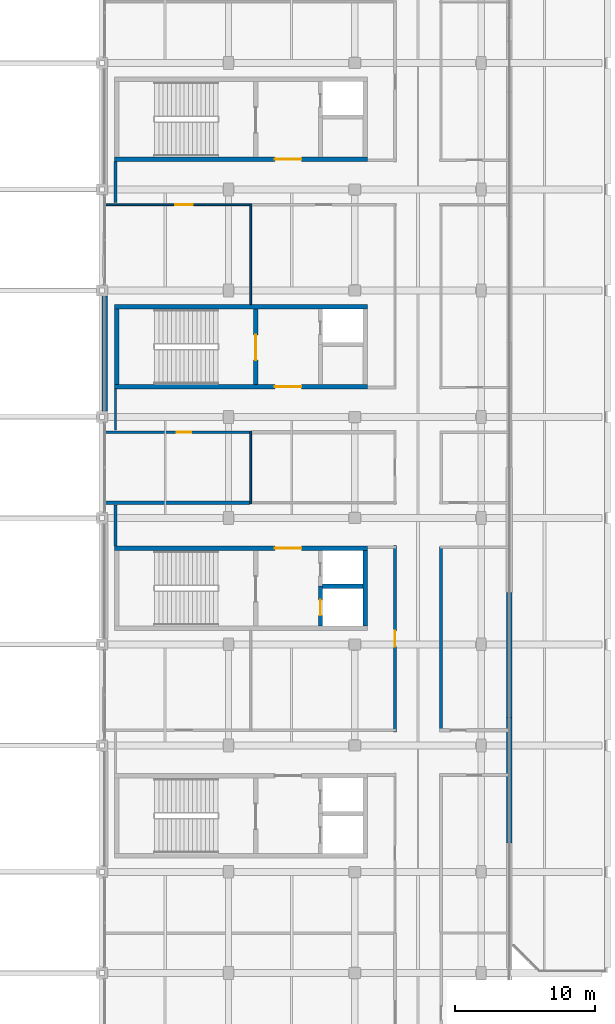
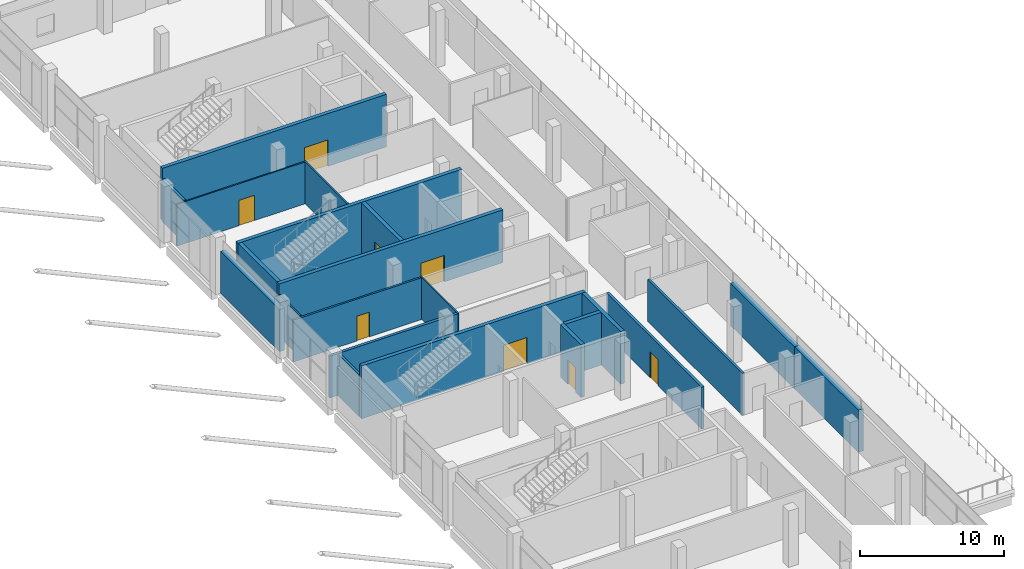
# One storey, part 55 of 82: 22 walls, 8 doors, 8 openings.
"""IFC4 building model written with IfcOpenShell, lengths in metres."""

from ifc_helpers import new_model, si_unit, direction, frame, frame_2d, origin, place, context, subcontext, project, spatial, rectangle, extrude, material, layer, layer_set, type_object, element, fill, save


model = new_model("IFC4")

# Units and contexts
model_context = context("Model", 3, precision=1e-05, world=origin(), true_north=direction((0.0, 1.0)))
body_context = subcontext(model_context, "Body", "Model", "MODEL_VIEW")
ifc_project = project(units=[si_unit("LENGTHUNIT", "METRE"), si_unit("AREAUNIT", "SQUARE_METRE"), si_unit("VOLUMEUNIT", "CUBIC_METRE"), si_unit("PLANEANGLEUNIT", "RADIAN"), si_unit("MASSUNIT", "GRAM", prefix="KILO"), si_unit("THERMODYNAMICTEMPERATUREUNIT", "KELVIN"), si_unit("POWERUNIT", "WATT")], contexts=[model_context])

# Site, building, storey
site_placement = place(None, origin())
site = spatial("IfcSite", under=ifc_project, at=site_placement, CompositionType="ELEMENT")
building_placement = place(site_placement, origin())
building = spatial("IfcBuilding", under=site, at=building_placement, Name="Sindhuravela Promenade Stadium", CompositionType="ELEMENT")
storey_placement = place(building_placement, frame((0.0, 0.0, 14.39990234375)))
storey = spatial("IfcBuildingStorey", under=building, at=storey_placement, Name="L03", CompositionType="ELEMENT", Elevation=14.39990234375)

# Walls
ifc_material_1 = material(Name="Terracotta clay brick masonry (15 MPa)", Category="masonry")
ifc_layer_1 = layer(ifc_material_1, 0.39990234375)
ifc_layer_set_1 = layer_set([ifc_layer_1], Name="Terracotta clay brick masonry (15 MPa)")
wall_type_1 = type_object("IfcWallType", Name="EX-WL-BRK400", PredefinedType="SOLIDWALL", material=ifc_layer_set_1)
wall_1_placement = place(storey_placement, frame((180.199951171875, 85.0048828125, 0.0), z_axis=(0.0, 0.0, 1.0), x_axis=(0.0, 1.0, 0.0)))
element("IfcWall", 1, at=wall_1_placement, inside=storey, type_object=wall_type_1, Name="Exterior masonry wall EW03 EAST L03", PredefinedType="SOLIDWALL", context=body_context, shape_type="SweptSolid", body=[
    extrude(rectangle(XDim=8.190185546875, YDim=0.39990234375, at=frame_2d((4.09521484375, 0.0))), origin(), (0.0, 0.0, 1.0), 3.580078125),
])
wall_2_placement = place(storey_placement, frame((209.0, 63.179931640625, 0.0), z_axis=(0.0, 0.0, 1.0), x_axis=(0.0, -1.0, 0.0)))
element("IfcWall", 2, at=wall_2_placement, inside=storey, type_object=wall_type_1, Name="Exterior masonry wall EW03 EAST L03", PredefinedType="SOLIDWALL", context=body_context, shape_type="SweptSolid", body=[
    extrude(rectangle(XDim=8.909912109375, YDim=0.39990234375, at=frame_2d((4.455078125, 0.0))), origin(), (0.0, 0.0, 1.0), 3.580078125),
])
ifc_layer_2 = layer(ifc_material_1, 0.419921875)
ifc_layer_set_2 = layer_set([ifc_layer_2], Name="Terracotta clay brick masonry (15 MPa)")
wall_type_2 = type_object("IfcWallType", Name="EX-WL-BRK420", PredefinedType="SOLIDWALL", material=ifc_layer_set_2)
wall_3_placement = place(storey_placement, frame((209.0, 72.090087890625, 0.0), z_axis=(0.0, 0.0, 1.0), x_axis=(0.0, -1.0, 0.0)))
element("IfcWall", 3, at=wall_3_placement, inside=storey, type_object=wall_type_2, Name="Exterior masonry wall EW02 EAST L03", PredefinedType="SOLIDWALL", context=body_context, shape_type="SweptSolid", body=[
    extrude(rectangle(XDim=8.91015625, YDim=0.419921875, at=frame_2d((4.455078125, 0.0))), origin(), (0.0, 0.0, 1.0), 3.580078125),
])

# Wall, opening, door
ifc_material_2 = material(Name="Fire-rated gypsum partition board", Category="gypsum")
ifc_layer_3 = layer(ifc_material_2, 0.110107421875)
ifc_layer_set_3 = layer_set([ifc_layer_3], Name="Fire-rated gypsum partition board")
wall_type_3 = type_object("IfcWallType", Name="IN-WL-PAR110", PredefinedType="PARTITIONING", material=ifc_layer_set_3)
wall_4_placement = place(storey_placement, frame((190.590087890625, 99.7099609375, 0.0), z_axis=(0.0, 0.0, 1.0), x_axis=(-1.0, 0.0, 0.0)))
wall_4 = element("IfcWall", 4, at=wall_4_placement, inside=storey, type_object=wall_type_3, Name="Corridor partition IW06 Accessible WC East L03", PredefinedType="PARTITIONING", context=body_context, shape_type="SweptSolid", body=[
    extrude(rectangle(XDim=10.357177734375, YDim=0.110107421875, at=frame_2d((5.1787109375, 0.0))), origin(), (0.0, 0.0, 1.0), 3.56005859375),
])
opening_1_placement = place(wall_4_placement, frame((4.1298828125, 0.0, 0.0)))
opening_1 = element("IfcOpeningElement", 5, at=opening_1_placement, cuts=wall_4, Name="Opening ID04", PredefinedType="OPENING", context=body_context, shape_type="SweptSolid", body=[
    extrude(rectangle(XDim=1.25, YDim=2.14990234375, at=frame_2d((0.625, 1.074951171875))), frame((0.0, 0.06494140625, 0.0), z_axis=(0.0, -1.0, 0.0), x_axis=(1.0, 0.0, 0.0)), (0.0, 0.0, 1.0), 0.130126953125),
])
ifc_material_3 = material(Name="Architectural teak timber leaf", Category="wood")
door_type_1 = type_object("IfcDoorType", Name="DR-INT-1250x2150", OperationType="NOTDEFINED", PredefinedType="DOOR", material=ifc_material_3)
door_1_placement = place(opening_1_placement, origin())
door_1 = element("IfcDoor", 6, at=door_1_placement, inside=storey, type_object=door_type_1, Name="Accessible WC East L03 door", OperationType="SINGLE_SWING_RIGHT", OverallHeight=2.14990234375, OverallWidth=1.25, PredefinedType="DOOR", context=body_context, shape_type="SweptSolid", body=[
    extrude(rectangle(XDim=1.25, YDim=2.14990234375, at=frame_2d((0.625, 1.074951171875))), frame((0.0, 0.02490234375, 0.0), z_axis=(0.0, -1.0, 0.0), x_axis=(1.0, 0.0, 0.0)), (0.0, 0.0, 1.0), 0.050048828125),
])
fill(opening_1, door_1)

# Walls
wall_5_placement = place(storey_placement, frame((190.590087890625, 83.590087890625, 0.0), z_axis=(0.0, 0.0, 1.0), x_axis=(0.0, -1.0, 0.0)))
element("IfcWall", 7, at=wall_5_placement, inside=storey, type_object=wall_type_3, Name="Interior partition IW06 EAST L03", PredefinedType="PARTITIONING", context=body_context, shape_type="SweptSolid", body=[
    extrude(rectangle(XDim=5.18017578125, YDim=0.110107421875, at=frame_2d((2.590087890625, 0.0))), origin(), (0.0, 0.0, 1.0), 3.56005859375),
])
ifc_layer_4 = layer(ifc_material_2, 0.1298828125)
ifc_layer_set_4 = layer_set([ifc_layer_4], Name="Fire-rated gypsum partition board")
wall_type_4 = type_object("IfcWallType", Name="IN-WL-PAR130", PredefinedType="PARTITIONING", material=ifc_layer_set_4)
wall_6_placement = place(storey_placement, frame((190.590087890625, 92.60205078125, 0.0), z_axis=(0.0, 0.0, 1.0), x_axis=(0.0, 1.0, 0.0)))
element("IfcWall", 8, at=wall_6_placement, inside=storey, type_object=wall_type_4, Name="Interior partition IW05 EAST L03", PredefinedType="PARTITIONING", context=body_context, shape_type="SweptSolid", body=[
    extrude(rectangle(XDim=7.18798828125, YDim=0.1298828125, at=frame_2d((3.593994140625, 0.0))), origin(), (0.0, 0.0, 1.0), 3.56005859375),
])
wall_7_placement = place(storey_placement, frame((180.9599609375, 86.597900390625, 0.0), z_axis=(0.0, 0.0, 1.0), x_axis=(0.0, -1.0, 0.0)))
element("IfcWall", 9, at=wall_7_placement, inside=storey, type_object=wall_type_4, Name="Interior partition IW05 EAST L03", PredefinedType="PARTITIONING", context=body_context, shape_type="SweptSolid", body=[
    extrude(rectangle(XDim=2.927978515625, YDim=0.1298828125, at=frame_2d((1.4638671875, 0.0))), origin(), (0.0, 0.0, 1.0), 3.56005859375),
])

# Wall, opening, door
ifc_layer_5 = layer(ifc_material_2, 0.14990234375)
ifc_layer_set_5 = layer_set([ifc_layer_5], Name="Fire-rated gypsum partition board")
wall_type_5 = type_object("IfcWallType", Name="IN-WL-PAR150", PredefinedType="PARTITIONING", material=ifc_layer_set_5)
wall_8_placement = place(storey_placement, frame((190.590087890625, 83.510009765625, 0.0), z_axis=(0.0, 0.0, 1.0), x_axis=(-1.0, 0.0, 0.0)))
wall_8 = element("IfcWall", 10, at=wall_8_placement, inside=storey, type_object=wall_type_5, Name="Corridor partition IW04 Executive Hospitality Suite E02 4", PredefinedType="PARTITIONING", context=body_context, shape_type="SweptSolid", body=[
    extrude(rectangle(XDim=10.357177734375, YDim=0.14990234375, at=frame_2d((5.1787109375, 0.0))), origin(), (0.0, 0.0, 1.0), 3.56005859375),
])
opening_2_placement = place(wall_8_placement, frame((4.2548828125, 0.0, 0.0)))
opening_2 = element("IfcOpeningElement", 11, at=opening_2_placement, cuts=wall_8, Name="Opening ID08", PredefinedType="OPENING", context=body_context, shape_type="SweptSolid", body=[
    extrude(rectangle(XDim=1.0, YDim=2.10009765625, at=frame_2d((0.5, 1.050048828125))), frame((0.0, 0.0849609375, 0.0), z_axis=(0.0, -1.0, 0.0), x_axis=(1.0, 0.0, 0.0)), (0.0, 0.0, 1.0), 0.169921875),
])
door_type_2 = type_object("IfcDoorType", Name="DR-INT-1000x2100", OperationType="NOTDEFINED", PredefinedType="DOOR", material=ifc_material_3)
door_2_placement = place(opening_2_placement, origin())
door_2 = element("IfcDoor", 12, at=door_2_placement, inside=storey, type_object=door_type_2, Name="Executive Hospitality Suite E02 4 door", OperationType="SINGLE_SWING_RIGHT", OverallHeight=2.10009765625, OverallWidth=1.0, PredefinedType="DOOR", context=body_context, shape_type="SweptSolid", body=[
    extrude(rectangle(XDim=1.0, YDim=2.10009765625, at=frame_2d((0.5, 1.050048828125))), frame((0.0, 0.02490234375, 0.0), z_axis=(0.0, -1.0, 0.0), x_axis=(1.0, 0.0, 0.0)), (0.0, 0.0, 1.0), 0.050048828125),
])
fill(opening_2, door_2)

ifc_layer_6 = layer(ifc_material_2, 0.195068359375)
ifc_layer_set_6 = layer_set([ifc_layer_6], Name="Fire-rated gypsum partition board")
wall_type_6 = type_object("IfcWallType", Name="IN-WL-PAR195", PredefinedType="PARTITIONING", material=ifc_layer_set_6)
wall_9_placement = place(storey_placement, frame((200.860107421875, 62.169921875, 0.0), z_axis=(0.0, 0.0, 1.0), x_axis=(0.0, 1.0, 0.0)))
wall_9 = element("IfcWall", 13, at=wall_9_placement, inside=storey, type_object=wall_type_6, Name="Corridor partition IW02 Hospitality Pantry East L03", PredefinedType="PARTITIONING", context=body_context, shape_type="SweptSolid", body=[
    extrude(rectangle(XDim=13.260009765625, YDim=0.195068359375, at=frame_2d((6.6298828125, 0.0))), origin(), (0.0, 0.0, 1.0), 3.56005859375),
])
opening_3_placement = place(wall_9_placement, frame((6.070068359375, 0.0, 0.0)))
opening_3 = element("IfcOpeningElement", 14, at=opening_3_placement, cuts=wall_9, Name="Opening ID13", PredefinedType="OPENING", context=body_context, shape_type="SweptSolid", body=[
    extrude(rectangle(XDim=1.1201171875, YDim=2.219970703125, at=frame_2d((0.56005859375, 1.10986328125))), frame((0.0, 0.107421875, 0.0), z_axis=(0.0, -1.0, 0.0), x_axis=(1.0, 0.0, 0.0)), (0.0, 0.0, 1.0), 0.215087890625),
])
door_type_3 = type_object("IfcDoorType", Name="DR-INT-1120x2220", OperationType="NOTDEFINED", PredefinedType="DOOR", material=ifc_material_3)
door_3_placement = place(opening_3_placement, origin())
door_3 = element("IfcDoor", 15, at=door_3_placement, inside=storey, type_object=door_type_3, Name="Hospitality Pantry East L03 door", OperationType="SINGLE_SWING_LEFT", OverallHeight=2.219970703125, OverallWidth=1.1201171875, PredefinedType="DOOR", context=body_context, shape_type="SweptSolid", body=[
    extrude(rectangle(XDim=1.1201171875, YDim=2.219970703125, at=frame_2d((0.56005859375, 1.10986328125))), frame((0.0, 0.02490234375, 0.0), z_axis=(0.0, -1.0, 0.0), x_axis=(1.0, 0.0, 0.0)), (0.0, 0.0, 1.0), 0.050048828125),
])
fill(opening_3, door_3)

# Walls
wall_10_placement = place(storey_placement, frame((204.139892578125, 62.2099609375, 0.0), z_axis=(0.0, 0.0, 1.0), x_axis=(0.0, 1.0, 0.0)))
element("IfcWall", 16, at=wall_10_placement, inside=storey, type_object=wall_type_6, Name="Interior partition IW02 EAST L03", PredefinedType="PARTITIONING", context=body_context, shape_type="SweptSolid", body=[
    extrude(rectangle(XDim=13.179931640625, YDim=0.195068359375, at=frame_2d((6.58984375, 0.0))), origin(), (0.0, 0.0, 1.0), 3.56005859375),
])
wall_11_placement = place(storey_placement, frame((180.9599609375, 78.330078125, 0.0), z_axis=(0.0, 0.0, 1.0), x_axis=(0.0, -1.0, 0.0)))
element("IfcWall", 17, at=wall_11_placement, inside=storey, type_object=wall_type_6, Name="Interior partition IW02 EAST L03", PredefinedType="PARTITIONING", context=body_context, shape_type="SweptSolid", body=[
    extrude(rectangle(XDim=2.927978515625, YDim=0.195068359375, at=frame_2d((1.4638671875, 0.0))), origin(), (0.0, 0.0, 1.0), 3.56005859375),
])
ifc_layer_7 = layer(ifc_material_2, 0.219970703125)
ifc_layer_set_7 = layer_set([ifc_layer_7], Name="Fire-rated gypsum partition board")
wall_type_7 = type_object("IfcWallType", Name="IN-WL-PAR220", PredefinedType="PARTITIONING", material=ifc_layer_set_7)
wall_12_placement = place(storey_placement, frame((180.9599609375, 102.798095703125, 0.0), z_axis=(0.0, 0.0, 1.0), x_axis=(0.0, -1.0, 0.0)))
element("IfcWall", 18, at=wall_12_placement, inside=storey, type_object=wall_type_7, Name="Interior partition IW01 EAST L03", PredefinedType="PARTITIONING", context=body_context, shape_type="SweptSolid", body=[
    extrude(rectangle(XDim=2.927978515625, YDim=0.219970703125, at=frame_2d((1.4638671875, 0.0))), origin(), (0.0, 0.0, 1.0), 3.56005859375),
])
wall_13_placement = place(storey_placement, frame((190.550048828125, 78.489990234375, 0.0), z_axis=(0.0, 0.0, 1.0), x_axis=(-1.0, 0.0, 0.0)))
element("IfcWall", 19, at=wall_13_placement, inside=storey, type_object=wall_type_7, Name="Interior partition IW01 EAST L03", PredefinedType="PARTITIONING", context=body_context, shape_type="SweptSolid", body=[
    extrude(rectangle(XDim=10.317138671875, YDim=0.219970703125, at=frame_2d((5.15869140625, 0.0))), origin(), (0.0, 0.0, 1.0), 3.56005859375),
])

# Wall, opening, door
ifc_material_4 = material(Name="Concrete M50", Category="concrete")
ifc_layer_8 = layer(ifc_material_4, 0.300048828125)
ifc_layer_set_8 = layer_set([ifc_layer_8], Name="Concrete M50")
wall_type_8 = type_object("IfcWallType", Name="RC-SW-300", PredefinedType="SHEAR", material=ifc_layer_set_8)
wall_14_placement = place(storey_placement, frame((198.89990234375, 75.25, 0.0), z_axis=(0.0, 0.0, 1.0), x_axis=(-1.0, 0.0, 0.0)))
wall_14 = element("IfcWall", 20, at=wall_14_placement, inside=storey, type_object=wall_type_8, Name="Core shear wall C06-N (L03)", PredefinedType="SHEAR", context=body_context, shape_type="SweptSolid", body=[
    extrude(rectangle(XDim=18.0, YDim=0.300048828125, at=frame_2d((9.0, 0.0))), origin(), (0.0, 0.0, 1.0), 4.47998046875),
])
opening_4_placement = place(wall_14_placement, frame((4.699951171875, 0.0, 0.0)))
opening_4 = element("IfcOpeningElement", 21, at=opening_4_placement, cuts=wall_14, Name="Opening FD02", PredefinedType="OPENING", context=body_context, shape_type="SweptSolid", body=[
    extrude(rectangle(XDim=1.89990234375, YDim=2.25, at=frame_2d((0.949951171875, 1.125))), frame((0.0, 0.159912109375, 0.0), z_axis=(0.0, -1.0, 0.0), x_axis=(1.0, 0.0, 0.0)), (0.0, 0.0, 1.0), 0.320068359375),
])
ifc_material_5 = material(Name="Architectural wrought steel E350", Category="steel")
door_type_4 = type_object("IfcDoorType", Name="DR-LOB-1900x2250", OperationType="DOUBLE_DOOR_SINGLE_SWING", PredefinedType="DOOR", material=ifc_material_5)
door_4_placement = place(opening_4_placement, origin())
door_4 = element("IfcDoor", 22, at=door_4_placement, inside=storey, type_object=door_type_4, Name="Protected lobby entrance door C06 (L03)", OperationType="DOUBLE_DOOR_SINGLE_SWING", OverallHeight=2.25, OverallWidth=1.89990234375, PredefinedType="DOOR", context=body_context, shape_type="SweptSolid", body=[
    extrude(rectangle(XDim=1.89990234375, YDim=2.25, at=frame_2d((0.949951171875, 1.125))), frame((0.0, 0.02490234375, 0.0), z_axis=(0.0, -1.0, 0.0), x_axis=(1.0, 0.0, 0.0)), (0.0, 0.0, 1.0), 0.050048828125),
])
fill(opening_4, door_4)

# Wall
wall_15_placement = place(storey_placement, frame((198.75, 69.699951171875, 0.0), z_axis=(0.0, 0.0, 1.0), x_axis=(0.0, 1.0, 0.0)))
element("IfcWall", 23, at=wall_15_placement, inside=storey, type_object=wall_type_8, Name="Core shear wall C06-E (L03)", PredefinedType="SHEAR", context=body_context, shape_type="SweptSolid", body=[
    extrude(rectangle(XDim=5.400146484375, YDim=0.300048828125, at=frame_2d((2.7001953125, 0.0))), origin(), (0.0, 0.0, 1.0), 4.47998046875),
])

# Wall, opening, door
wall_16_placement = place(storey_placement, frame((195.550048828125, 69.699951171875, 0.0), z_axis=(0.0, 0.0, 1.0), x_axis=(0.0, 1.0, 0.0)))
wall_16 = element("IfcWall", 24, at=wall_16_placement, inside=storey, type_object=wall_type_8, Name="Core shear wall C06-LFT (L03)", PredefinedType="SHEAR", context=body_context, shape_type="SweptSolid", body=[
    extrude(rectangle(XDim=2.85009765625, YDim=0.300048828125, at=frame_2d((1.425048828125, 0.0))), origin(), (0.0, 0.0, 1.0), 4.47998046875),
])
opening_5_placement = place(wall_16_placement, frame((0.77490234375, 0.0, 0.0)))
opening_5 = element("IfcOpeningElement", 25, at=opening_5_placement, cuts=wall_16, Name="Opening LD", PredefinedType="OPENING", context=body_context, shape_type="SweptSolid", body=[
    extrude(rectangle(XDim=1.10009765625, YDim=2.10009765625, at=frame_2d((0.550048828125, 1.050048828125))), frame((0.0, 0.159912109375, 0.0), z_axis=(0.0, -1.0, 0.0), x_axis=(1.0, 0.0, 0.0)), (0.0, 0.0, 1.0), 0.320068359375),
])
door_type_5 = type_object("IfcDoorType", Name="DR-LFT-1100x2100", OperationType="DOUBLE_DOOR_SLIDING", PredefinedType="DOOR", material=ifc_material_5)
door_5_placement = place(opening_5_placement, origin())
door_5 = element("IfcDoor", 26, at=door_5_placement, inside=storey, type_object=door_type_5, Name="Lift PL02 landing door (L03)", OperationType="DOUBLE_DOOR_SLIDING", OverallHeight=2.10009765625, OverallWidth=1.10009765625, PredefinedType="DOOR", context=body_context, shape_type="SweptSolid", body=[
    extrude(rectangle(XDim=1.10009765625, YDim=2.10009765625, at=frame_2d((0.550048828125, 1.050048828125))), frame((0.0, 0.02490234375, 0.0), z_axis=(0.0, -1.0, 0.0), x_axis=(1.0, 0.0, 0.0)), (0.0, 0.0, 1.0), 0.050048828125),
])
fill(opening_5, door_5)

# Wall
wall_17_placement = place(storey_placement, frame((195.699951171875, 72.550048828125, 0.0), z_axis=(0.0, 0.0, 1.0), x_axis=(1.0, 0.0, 0.0)))
element("IfcWall", 27, at=wall_17_placement, inside=storey, type_object=wall_type_8, Name="Core shear wall C06-DIV (L03)", PredefinedType="SHEAR", context=body_context, shape_type="SweptSolid", body=[
    extrude(rectangle(XDim=2.900146484375, YDim=0.300048828125, at=frame_2d((1.4501953125, 0.0))), origin(), (0.0, 0.0, 1.0), 4.47998046875),
])

# Wall, opening, door
wall_18_placement = place(storey_placement, frame((180.89990234375, 86.75, 0.0), z_axis=(0.0, 0.0, 1.0), x_axis=(1.0, 0.0, 0.0)))
wall_18 = element("IfcWall", 28, at=wall_18_placement, inside=storey, type_object=wall_type_8, Name="Core shear wall C07-S (L03)", PredefinedType="SHEAR", context=body_context, shape_type="SweptSolid", body=[
    extrude(rectangle(XDim=18.0, YDim=0.300048828125, at=frame_2d((9.0, 0.0))), origin(), (0.0, 0.0, 1.0), 4.47998046875),
])
opening_6_placement = place(wall_18_placement, frame((11.39990234375, 0.0, 0.0)))
opening_6 = element("IfcOpeningElement", 29, at=opening_6_placement, cuts=wall_18, Name="Opening FD02", PredefinedType="OPENING", context=body_context, shape_type="SweptSolid", body=[
    extrude(rectangle(XDim=1.89990234375, YDim=2.25, at=frame_2d((0.949951171875, 1.125))), frame((0.0, 0.159912109375, 0.0), z_axis=(0.0, -1.0, 0.0), x_axis=(1.0, 0.0, 0.0)), (0.0, 0.0, 1.0), 0.320068359375),
])
door_6_placement = place(opening_6_placement, origin())
door_6 = element("IfcDoor", 30, at=door_6_placement, inside=storey, type_object=door_type_4, Name="Protected lobby entrance door C07 (L03)", OperationType="DOUBLE_DOOR_SINGLE_SWING", OverallHeight=2.25, OverallWidth=1.89990234375, PredefinedType="DOOR", context=body_context, shape_type="SweptSolid", body=[
    extrude(rectangle(XDim=1.89990234375, YDim=2.25, at=frame_2d((0.949951171875, 1.125))), frame((0.0, 0.02490234375, 0.0), z_axis=(0.0, -1.0, 0.0), x_axis=(1.0, 0.0, 0.0)), (0.0, 0.0, 1.0), 0.050048828125),
])
fill(opening_6, door_6)

# Walls
wall_19_placement = place(storey_placement, frame((198.89990234375, 92.449951171875, 0.0), z_axis=(0.0, 0.0, 1.0), x_axis=(-1.0, 0.0, 0.0)))
element("IfcWall", 31, at=wall_19_placement, inside=storey, type_object=wall_type_8, Name="Core shear wall C07-N (L03)", PredefinedType="SHEAR", context=body_context, shape_type="SweptSolid", body=[
    extrude(rectangle(XDim=18.0, YDim=0.300048828125, at=frame_2d((9.0, 0.0))), origin(), (0.0, 0.0, 1.0), 4.47998046875),
])
wall_20_placement = place(storey_placement, frame((181.050048828125, 92.300048828125, 0.0), z_axis=(0.0, 0.0, 1.0), x_axis=(0.0, -1.0, 0.0)))
element("IfcWall", 32, at=wall_20_placement, inside=storey, type_object=wall_type_8, Name="Core shear wall C07-W (L03)", PredefinedType="SHEAR", context=body_context, shape_type="SweptSolid", body=[
    extrude(rectangle(XDim=5.400146484375, YDim=0.300048828125, at=frame_2d((2.7001953125, 0.0))), origin(), (0.0, 0.0, 1.0), 4.47998046875),
])

# Wall, opening, door
wall_21_placement = place(storey_placement, frame((190.949951171875, 86.89990234375, 0.0), z_axis=(0.0, 0.0, 1.0), x_axis=(0.0, 1.0, 0.0)))
wall_21 = element("IfcWall", 33, at=wall_21_placement, inside=storey, type_object=wall_type_8, Name="Core shear wall C07-ST (L03)", PredefinedType="SHEAR", context=body_context, shape_type="SweptSolid", body=[
    extrude(rectangle(XDim=5.400146484375, YDim=0.300048828125, at=frame_2d((2.7001953125, 0.0))), origin(), (0.0, 0.0, 1.0), 4.47998046875),
])
opening_7_placement = place(wall_21_placement, frame((1.75, 0.0, 0.0)))
opening_7 = element("IfcOpeningElement", 34, at=opening_7_placement, cuts=wall_21, Name="Opening FD01", PredefinedType="OPENING", context=body_context, shape_type="SweptSolid", body=[
    extrude(rectangle(XDim=1.800048828125, YDim=2.25, at=frame_2d((0.89990234375, 1.125))), frame((0.0, 0.159912109375, 0.0), z_axis=(0.0, -1.0, 0.0), x_axis=(1.0, 0.0, 0.0)), (0.0, 0.0, 1.0), 0.320068359375),
])
door_type_6 = type_object("IfcDoorType", Name="DR-CORE-1800x2250", OperationType="DOUBLE_DOOR_SINGLE_SWING", PredefinedType="DOOR", material=ifc_material_5)
door_7_placement = place(opening_7_placement, origin())
door_7 = element("IfcDoor", 35, at=door_7_placement, inside=storey, type_object=door_type_6, Name="Stair ST07 lobby fire door (L03)", OperationType="DOUBLE_DOOR_SINGLE_SWING", OverallHeight=2.25, OverallWidth=1.800048828125, PredefinedType="DOOR", context=body_context, shape_type="SweptSolid", body=[
    extrude(rectangle(XDim=1.800048828125, YDim=2.25, at=frame_2d((0.89990234375, 1.125))), frame((0.0, 0.02490234375, 0.0), z_axis=(0.0, -1.0, 0.0), x_axis=(1.0, 0.0, 0.0)), (0.0, 0.0, 1.0), 0.050048828125),
])
fill(opening_7, door_7)

wall_22_placement = place(storey_placement, frame((180.89990234375, 102.949951171875, 0.0), z_axis=(0.0, 0.0, 1.0), x_axis=(1.0, 0.0, 0.0)))
wall_22 = element("IfcWall", 36, at=wall_22_placement, inside=storey, type_object=wall_type_8, Name="Core shear wall C08-S (L03)", PredefinedType="SHEAR", context=body_context, shape_type="SweptSolid", body=[
    extrude(rectangle(XDim=18.0, YDim=0.300048828125, at=frame_2d((9.0, 0.0))), origin(), (0.0, 0.0, 1.0), 4.47998046875),
])
opening_8_placement = place(wall_22_placement, frame((11.39990234375, 0.0, 0.0)))
opening_8 = element("IfcOpeningElement", 37, at=opening_8_placement, cuts=wall_22, Name="Opening FD02", PredefinedType="OPENING", context=body_context, shape_type="SweptSolid", body=[
    extrude(rectangle(XDim=1.89990234375, YDim=2.25, at=frame_2d((0.949951171875, 1.125))), frame((0.0, 0.159912109375, 0.0), z_axis=(0.0, -1.0, 0.0), x_axis=(1.0, 0.0, 0.0)), (0.0, 0.0, 1.0), 0.320068359375),
])
door_8_placement = place(opening_8_placement, origin())
door_8 = element("IfcDoor", 38, at=door_8_placement, inside=storey, type_object=door_type_4, Name="Protected lobby entrance door C08 (L03)", OperationType="DOUBLE_DOOR_SINGLE_SWING", OverallHeight=2.25, OverallWidth=1.89990234375, PredefinedType="DOOR", context=body_context, shape_type="SweptSolid", body=[
    extrude(rectangle(XDim=1.89990234375, YDim=2.25, at=frame_2d((0.949951171875, 1.125))), frame((0.0, 0.02490234375, 0.0), z_axis=(0.0, -1.0, 0.0), x_axis=(1.0, 0.0, 0.0)), (0.0, 0.0, 1.0), 0.050048828125),
])
fill(opening_8, door_8)

save(model, "model.ifc")
